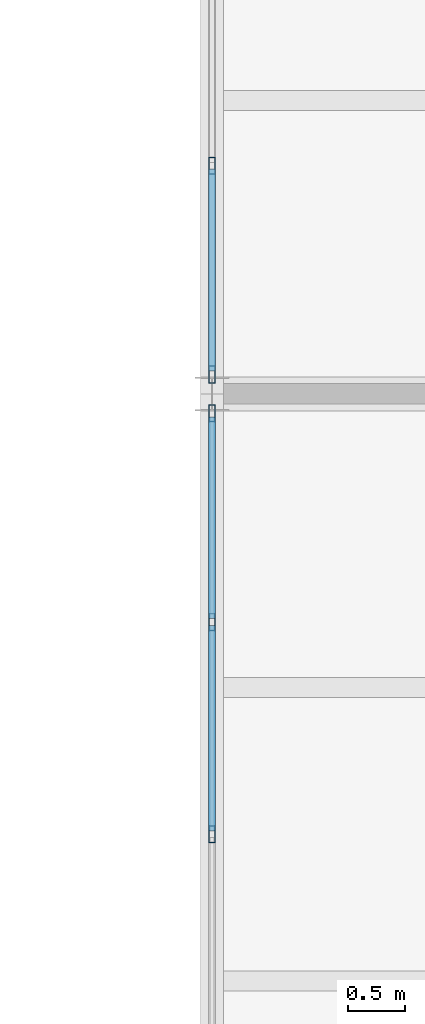
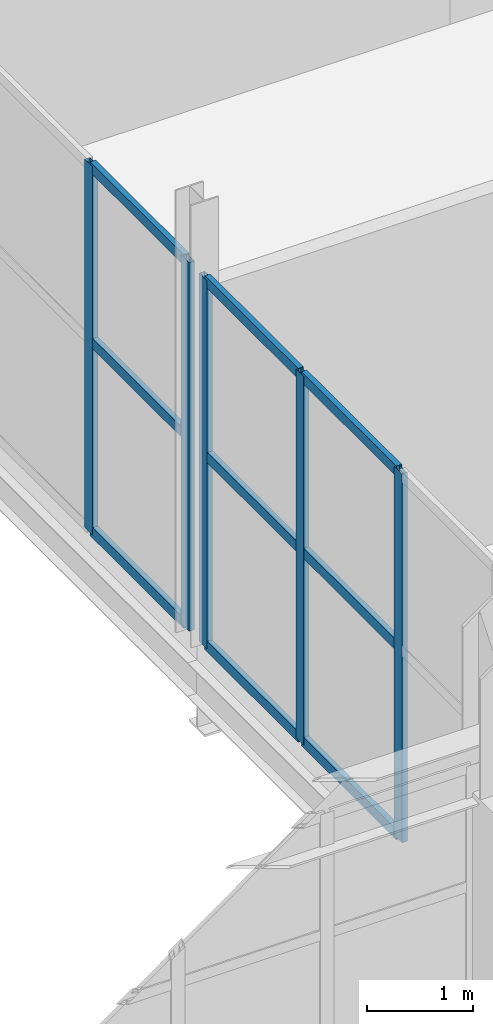
# One storey, part 131 of 218: 14 members, 2 elements without a shape of their own.
"""IFC4 building model written with IfcOpenShell, lengths in metres."""

import ifcopenshell
import ifcopenshell.guid

model = None  # the IFC model being written
_history = None  # IfcOwnerHistory: only IFC2X3 demands one
_inside = {}  # id of a spatial element -> (the spatial element, [elements in it])
_under = {}  # id of a project, library or spatial element -> (it, [spatial elements below it])
_declared = {}  # id of a project -> (the project, [libraries it declares])
_typed = {}  # id of a type object -> (the type object, [elements of that type])
_made_of = {}  # id of a material, layer set ... -> (it, [elements and type objects made of it])


def new_model(schema):
    """Start an empty IFC model of exactly this schema.

    Asked for "IFC4X3", IfcOpenShell would pick the latest addendum, in which some entities
    have other attributes; the version numbers below select the first issue.
    IFC2X3 requires an IfcOwnerHistory on every rooted entity: one is made here for all.
    """
    global model, _history
    if schema == "IFC4X3":
        model = ifcopenshell.file(schema_version=(4, 3, 0, 0))
    else:
        model = ifcopenshell.file(schema=schema)
    _inside.clear()
    _under.clear()
    _declared.clear()
    _typed.clear()
    _made_of.clear()
    _history = None
    if model.schema == "IFC2X3":
        org = make("IfcOrganization", Name="unknown")
        user = make(
            "IfcPersonAndOrganization",
            ThePerson=make("IfcPerson", FamilyName="unknown"),
            TheOrganization=org,
        )
        app = make(
            "IfcApplication",
            ApplicationDeveloper=org,
            Version="unknown",
            ApplicationFullName="unknown",
            ApplicationIdentifier="unknown",
        )
        _history = make(
            "IfcOwnerHistory",
            OwningUser=user,
            OwningApplication=app,
            ChangeAction="ADDED",
            CreationDate=0,
        )
    return model


def make(cls, **values):
    """One entity of the class cls with the attributes given. An attribute that is None is left unset."""
    return model.create_entity(
        cls, **{name: value for name, value in values.items() if value is not None}
    )


def rooted(cls, **values):
    """An entity with a GlobalId (a new one), such as an element, a storey or a relation."""
    return make(cls, GlobalId=ifcopenshell.guid.new(), OwnerHistory=_history, **values)


def si_unit(unit_type, name, prefix=None):
    """IfcSIUnit, for example si_unit("LENGTHUNIT", "METRE", prefix="MILLI")."""
    return make("IfcSIUnit", UnitType=unit_type, Prefix=prefix, Name=name)


def assignment(units):
    """IfcUnitAssignment: the units of a project."""
    return None if units is None else make("IfcUnitAssignment", Units=units)


def point(xyz):
    """IfcCartesianPoint."""
    return None if xyz is None else make("IfcCartesianPoint", Coordinates=xyz)


def direction(xyz):
    """IfcDirection."""
    return None if xyz is None else make("IfcDirection", DirectionRatios=xyz)


def frame(location, z_axis=None, x_axis=None):
    """IfcAxis2Placement3D, a coordinate frame: its origin and axes. An axis left out is left unset."""
    return make(
        "IfcAxis2Placement3D",
        Location=point(location),
        Axis=direction(z_axis),
        RefDirection=direction(x_axis),
    )


def frame_2d(location, x_axis=None):
    """IfcAxis2Placement2D, a coordinate frame in the plane: its origin and x axis."""
    return make(
        "IfcAxis2Placement2D", Location=point(location), RefDirection=direction(x_axis)
    )


def origin():
    """The frame at (0, 0, 0) with its axes left unset."""
    return frame((0.0, 0.0, 0.0))


def origin_2d():
    """The frame at (0, 0) in the plane with its x axis left unset."""
    return frame_2d((0.0, 0.0))


def place(relative_to, where):
    """IfcLocalPlacement: puts the frame where relative to a parent placement (None: the world)."""
    return make(
        "IfcLocalPlacement", PlacementRelTo=relative_to, RelativePlacement=where
    )


def context(
    kind, dimensions, precision=None, world=None, true_north=None, identifier=None
):
    """IfcGeometricRepresentationContext, for example the 3D "Model" context."""
    return make(
        "IfcGeometricRepresentationContext",
        ContextIdentifier=identifier,
        ContextType=kind,
        CoordinateSpaceDimension=dimensions,
        Precision=precision,
        WorldCoordinateSystem=world,
        TrueNorth=true_north,
    )


def subcontext(parent, identifier, kind, view, scale=None):
    """IfcGeometricRepresentationSubContext, for example "Body" below "Model"."""
    return make(
        "IfcGeometricRepresentationSubContext",
        ContextIdentifier=identifier,
        ContextType=kind,
        ParentContext=parent,
        TargetScale=scale,
        TargetView=view,
    )


def project(units=None, contexts=None):
    """IfcProject with its units and contexts."""
    return rooted(
        "IfcProject",
        Name="project",
        RepresentationContexts=contexts,
        UnitsInContext=assignment(units),
    )


def spatial(cls, under=None, at=None, **own):
    """A site, building, storey or space (cls), placed at a placement, below another one or the project."""
    s = rooted(cls, ObjectPlacement=at, **own)
    if under is not None:
        _under.setdefault(under.id(), (under, []))[1].append(s)
    return s


def profile(cls, at=None, kind="AREA", **sizes):
    """A parametric profile (cls). Its sizes go by their IFC names, for example OverallWidth=200.0."""
    return make(cls, ProfileType=kind, Position=at, **sizes)


def hollow_rectangle(**sizes):
    """IfcRectangleHollowProfileDef."""
    return profile("IfcRectangleHollowProfileDef", **sizes)


def extrude(swept, where, along, depth):
    """IfcExtrudedAreaSolid: the profile swept, set in the frame where, extruded along a direction by depth."""
    return make(
        "IfcExtrudedAreaSolid",
        SweptArea=swept,
        Position=where,
        ExtrudedDirection=direction(along),
        Depth=depth,
    )


def shape(context_of_items, identifier, shape_type, items):
    """IfcShapeRepresentation: the items that make up one representation, for example the "Body"."""
    return make(
        "IfcShapeRepresentation",
        ContextOfItems=context_of_items,
        RepresentationIdentifier=identifier,
        RepresentationType=shape_type,
        Items=items,
    )


def material(Name=None, Category=None):
    """IfcMaterial."""
    return make("IfcMaterial", Name=Name, Category=Category)


def material_profile(
    of_material, cross_section, Name=None, Category=None, Priority=None
):
    """IfcMaterialProfile: a cross section and its material."""
    return make(
        "IfcMaterialProfile",
        Name=Name,
        Material=of_material,
        Profile=cross_section,
        Priority=Priority,
        Category=Category,
    )


def profile_set(profiles, Name=None, composite=None):
    """IfcMaterialProfileSet."""
    return make(
        "IfcMaterialProfileSet",
        Name=Name,
        MaterialProfiles=profiles,
        CompositeProfile=composite,
    )


def made_of(thing, what):
    """Note that an element or type object is made of a material, layer set ...; save() writes the relation."""
    if what is not None:
        _made_of.setdefault(what.id(), (what, []))[1].append(thing)
    return thing


def type_object(cls, material=None, **own):
    """A type object (cls), such as IfcWallType, which elements share."""
    return made_of(rooted(cls, **own), material)


def element(
    cls,
    number,
    at=None,
    inside=None,
    cuts=None,
    type_object=None,
    material=None,
    context=None,
    identifier="Body",
    shape_type=None,
    held_by="IfcProductDefinitionShape",
    body=None,
    shapes=None,
    **own,
):
    """One element of the class cls, such as IfcWall. Its Tag is "e" and its number.

    at: its placement. inside: the storey or other place that contains it. cuts: it is an
    opening in that element (IfcRelVoidsElement). A single representation is given by context,
    identifier, shape_type and body (its items); several are given by shapes. held_by: the class
    of the entity that holds the representations. save() writes the other relations.
    """
    e = rooted(cls, Tag="e%d" % number, ObjectPlacement=at, **own)
    if body is not None:
        shapes = [shape(context, identifier, shape_type, body)]
    if shapes is not None:
        e.Representation = make(held_by, Representations=shapes)
    if inside is not None:
        _inside.setdefault(inside.id(), (inside, []))[1].append(e)
    if cuts is not None:
        rooted(
            "IfcRelVoidsElement", RelatingBuildingElement=cuts, RelatedOpeningElement=e
        )
    if type_object is not None:
        _typed.setdefault(type_object.id(), (type_object, []))[1].append(e)
    return made_of(e, material)


def aggregate(whole, parts):
    """IfcRelAggregates: a whole, such as a stair, and the parts it consists of."""
    return rooted("IfcRelAggregates", RelatingObject=whole, RelatedObjects=parts)


def save(model, path):
    """Write the relations noted so far, then the file.

    IfcRelAggregates (storeys below a building ...), IfcRelContainedInSpatialStructure (elements
    in a storey), IfcRelDefinesByType, IfcRelAssociatesMaterial and IfcRelDeclares: one each for
    every whole, place, type object, material and project.
    """
    for whole, parts in _under.values():
        aggregate(whole, parts)
    for where, things in _inside.values():
        rooted(
            "IfcRelContainedInSpatialStructure",
            RelatedElements=things,
            RelatingStructure=where,
        )
    for kind, things in _typed.values():
        rooted("IfcRelDefinesByType", RelatedObjects=things, RelatingType=kind)
    for what, things in _made_of.values():
        rooted("IfcRelAssociatesMaterial", RelatedObjects=things, RelatingMaterial=what)
    for by, libraries in _declared.values():
        rooted("IfcRelDeclares", RelatingContext=by, RelatedDefinitions=libraries)
    model.write(path)


model = new_model("IFC4")

# Units and contexts
model_context = context("Model", 3, precision=1e-05, world=origin(), true_north=direction((0.0, 1.0)))
body_context = subcontext(model_context, "Body", "Model", "MODEL_VIEW")
ifc_project = project(units=[si_unit("LENGTHUNIT", "METRE"), si_unit("AREAUNIT", "SQUARE_METRE"), si_unit("VOLUMEUNIT", "CUBIC_METRE"), si_unit("PLANEANGLEUNIT", "RADIAN"), si_unit("MASSUNIT", "GRAM", prefix="KILO")], contexts=[model_context])

# Site, building, storey
site_placement = place(None, origin())
site = spatial("IfcSite", under=ifc_project, at=site_placement, CompositionType="ELEMENT")
building_placement = place(site_placement, origin())
building = spatial("IfcBuilding", under=site, at=building_placement, Name="Kazenagashi Tramway Depot", CompositionType="ELEMENT")
storey_placement = place(building_placement, frame((0.0, 0.0, 6.0)))
storey = spatial("IfcBuildingStorey", under=building, at=storey_placement, Name="L02", CompositionType="ELEMENT", Elevation=6.0)

# Curtain wall, members
ifc_material_1 = material(Name="Anodised Aluminium and Low-E Glazing", Category="aluminium")
curtain_wall_type = type_object("IfcCurtainWallType", Name="CW-31", PredefinedType="USERDEFINED", material=ifc_material_1)
curtain_wall_1_placement = place(storey_placement, origin())
curtain_wall_1 = element("IfcCurtainWall", 1, at=curtain_wall_1_placement, inside=storey, type_object=curtain_wall_type, Name="Industrial Glazed Screen CW-31 CW-0171", ObjectType="GLAZED SCREEN", PredefinedType="USERDEFINED")
ifc_material_2 = material(Name="Anodised Aluminium", Category="aluminium")
ifc_material_profile_1 = material_profile(ifc_material_2, hollow_rectangle(XDim=0.06, YDim=0.15, WallThickness=0.004, at=origin_2d()), Name="RHS-150x60x4")
ifc_profile_set_1 = profile_set([ifc_material_profile_1], Name="Anodised Aluminium")
member_type_1 = type_object("IfcMemberType", Name="ML-01", PredefinedType="MULLION", material=ifc_profile_set_1)
member_1_placement = place(storey_placement, frame((146.3, 57.75, 0.0), z_axis=(0.0, 0.0, 1.0), x_axis=(-1.0, 0.0, 0.0)))
member_1 = element("IfcMember", 2, at=member_1_placement, type_object=member_type_1, Name="CW-31 mullion 3", PredefinedType="MULLION", context=body_context, shape_type="SweptSolid", body=[
    extrude(hollow_rectangle(XDim=0.06, YDim=0.15, WallThickness=0.004, at=origin_2d()), origin(), (0.0, 0.0, 1.0), 4.25),
])
member_2_placement = place(storey_placement, frame((146.3, 59.605, 0.0), z_axis=(0.0, 0.0, 1.0), x_axis=(-1.0, 0.0, 0.0)))
member_2 = element("IfcMember", 3, at=member_2_placement, type_object=member_type_1, Name="CW-31 mullion 4", PredefinedType="MULLION", context=body_context, shape_type="SweptSolid", body=[
    extrude(hollow_rectangle(XDim=0.06, YDim=0.15, WallThickness=0.004, at=origin_2d()), origin(), (0.0, 0.0, 1.0), 4.25),
])
member_3_placement = place(storey_placement, frame((146.3, 61.43, 0.0), z_axis=(0.0, 0.0, 1.0), x_axis=(-1.0, 0.0, 0.0)))
member_3 = element("IfcMember", 4, at=member_3_placement, type_object=member_type_1, Name="CW-31 mullion 5", PredefinedType="MULLION", context=body_context, shape_type="SweptSolid", body=[
    extrude(hollow_rectangle(XDim=0.06, YDim=0.15, WallThickness=0.004, at=origin_2d()), origin(), (0.0, 0.0, 1.0), 4.25),
])

curtain_wall_2_placement = place(storey_placement, origin())
curtain_wall_2 = element("IfcCurtainWall", 5, at=curtain_wall_2_placement, inside=storey, type_object=curtain_wall_type, Name="Industrial Glazed Screen CW-31 CW-0173", ObjectType="GLAZED SCREEN", PredefinedType="USERDEFINED")
member_4_placement = place(storey_placement, frame((146.3, 61.77, 0.0), z_axis=(0.0, 0.0, 1.0), x_axis=(-1.0, 0.0, 0.0)))
member_4 = element("IfcMember", 6, at=member_4_placement, type_object=member_type_1, Name="CW-31 mullion 1", PredefinedType="MULLION", context=body_context, shape_type="SweptSolid", body=[
    extrude(hollow_rectangle(XDim=0.06, YDim=0.15, WallThickness=0.004, at=origin_2d()), origin(), (0.0, 0.0, 1.0), 4.25),
])
member_5_placement = place(storey_placement, frame((146.3, 63.595, 0.0), z_axis=(0.0, 0.0, 1.0), x_axis=(-1.0, 0.0, 0.0)))
member_5 = element("IfcMember", 7, at=member_5_placement, type_object=member_type_1, Name="CW-31 mullion 2", PredefinedType="MULLION", context=body_context, shape_type="SweptSolid", body=[
    extrude(hollow_rectangle(XDim=0.06, YDim=0.15, WallThickness=0.004, at=origin_2d()), origin(), (0.0, 0.0, 1.0), 4.25),
])

# Member
ifc_material_profile_2 = material_profile(ifc_material_2, hollow_rectangle(XDim=0.06, YDim=0.12, WallThickness=0.004, at=origin_2d()), Name="RHS-120x60x4")
ifc_profile_set_2 = profile_set([ifc_material_profile_2], Name="Anodised Aluminium")
member_type_2 = type_object("IfcMemberType", Name="TR-01", PredefinedType="USERDEFINED", material=ifc_profile_set_2)
member_6_placement = place(storey_placement, frame((146.3, 57.78, 0.03), z_axis=(0.0, 1.0, 0.0), x_axis=(-1.0, 0.0, 0.0)))
member_6 = element("IfcMember", 8, at=member_6_placement, type_object=member_type_2, Name="CW-31 transom 3.1", ObjectType="TRANSOM", PredefinedType="USERDEFINED", context=body_context, shape_type="SweptSolid", body=[
    extrude(hollow_rectangle(XDim=0.06, YDim=0.12, WallThickness=0.004, at=origin_2d()), origin(), (0.0, 0.0, 1.0), 1.795),
])

member_7_placement = place(storey_placement, frame((146.3, 57.78, 2.21), z_axis=(0.0, 1.0, 0.0), x_axis=(-1.0, 0.0, 0.0)))
member_7 = element("IfcMember", 9, at=member_7_placement, type_object=member_type_2, Name="CW-31 transom 3.2", ObjectType="TRANSOM", PredefinedType="USERDEFINED", context=body_context, shape_type="SweptSolid", body=[
    extrude(hollow_rectangle(XDim=0.06, YDim=0.12, WallThickness=0.004, at=origin_2d()), origin(), (0.0, 0.0, 1.0), 1.795),
])

member_8_placement = place(storey_placement, frame((146.3, 57.78, 4.22), z_axis=(0.0, 1.0, 0.0), x_axis=(-1.0, 0.0, 0.0)))
member_8 = element("IfcMember", 10, at=member_8_placement, type_object=member_type_2, Name="CW-31 transom 3.3", ObjectType="TRANSOM", PredefinedType="USERDEFINED", context=body_context, shape_type="SweptSolid", body=[
    extrude(hollow_rectangle(XDim=0.06, YDim=0.12, WallThickness=0.004, at=origin_2d()), origin(), (0.0, 0.0, 1.0), 1.795),
])

member_9_placement = place(storey_placement, frame((146.3, 59.635, 0.03), z_axis=(0.0, 1.0, 0.0), x_axis=(-1.0, 0.0, 0.0)))
member_9 = element("IfcMember", 11, at=member_9_placement, type_object=member_type_2, Name="CW-31 transom 4.1", ObjectType="TRANSOM", PredefinedType="USERDEFINED", context=body_context, shape_type="SweptSolid", body=[
    extrude(hollow_rectangle(XDim=0.06, YDim=0.12, WallThickness=0.004, at=origin_2d()), origin(), (0.0, 0.0, 1.0), 1.765),
])

member_10_placement = place(storey_placement, frame((146.3, 59.635, 2.21), z_axis=(0.0, 1.0, 0.0), x_axis=(-1.0, 0.0, 0.0)))
member_10 = element("IfcMember", 12, at=member_10_placement, type_object=member_type_2, Name="CW-31 transom 4.2", ObjectType="TRANSOM", PredefinedType="USERDEFINED", context=body_context, shape_type="SweptSolid", body=[
    extrude(hollow_rectangle(XDim=0.06, YDim=0.12, WallThickness=0.004, at=origin_2d()), origin(), (0.0, 0.0, 1.0), 1.765),
])

member_11_placement = place(storey_placement, frame((146.3, 59.635, 4.22), z_axis=(0.0, 1.0, 0.0), x_axis=(-1.0, 0.0, 0.0)))
member_11 = element("IfcMember", 13, at=member_11_placement, type_object=member_type_2, Name="CW-31 transom 4.3", ObjectType="TRANSOM", PredefinedType="USERDEFINED", context=body_context, shape_type="SweptSolid", body=[
    extrude(hollow_rectangle(XDim=0.06, YDim=0.12, WallThickness=0.004, at=origin_2d()), origin(), (0.0, 0.0, 1.0), 1.765),
])

aggregate(curtain_wall_1, [member_1, member_2, member_3, member_6, member_7, member_8, member_9, member_10, member_11])

member_12_placement = place(storey_placement, frame((146.3, 61.8, 0.03), z_axis=(0.0, 1.0, 0.0), x_axis=(-1.0, 0.0, 0.0)))
member_12 = element("IfcMember", 14, at=member_12_placement, type_object=member_type_2, Name="CW-31 transom 1.1", ObjectType="TRANSOM", PredefinedType="USERDEFINED", context=body_context, shape_type="SweptSolid", body=[
    extrude(hollow_rectangle(XDim=0.06, YDim=0.12, WallThickness=0.004, at=origin_2d()), origin(), (0.0, 0.0, 1.0), 1.765),
])

member_13_placement = place(storey_placement, frame((146.3, 61.8, 2.21), z_axis=(0.0, 1.0, 0.0), x_axis=(-1.0, 0.0, 0.0)))
member_13 = element("IfcMember", 15, at=member_13_placement, type_object=member_type_2, Name="CW-31 transom 1.2", ObjectType="TRANSOM", PredefinedType="USERDEFINED", context=body_context, shape_type="SweptSolid", body=[
    extrude(hollow_rectangle(XDim=0.06, YDim=0.12, WallThickness=0.004, at=origin_2d()), origin(), (0.0, 0.0, 1.0), 1.765),
])

member_14_placement = place(storey_placement, frame((146.3, 61.8, 4.22), z_axis=(0.0, 1.0, 0.0), x_axis=(-1.0, 0.0, 0.0)))
member_14 = element("IfcMember", 16, at=member_14_placement, type_object=member_type_2, Name="CW-31 transom 1.3", ObjectType="TRANSOM", PredefinedType="USERDEFINED", context=body_context, shape_type="SweptSolid", body=[
    extrude(hollow_rectangle(XDim=0.06, YDim=0.12, WallThickness=0.004, at=origin_2d()), origin(), (0.0, 0.0, 1.0), 1.765),
])

aggregate(curtain_wall_2, [member_4, member_5, member_12, member_13, member_14])

save(model, "model.ifc")
